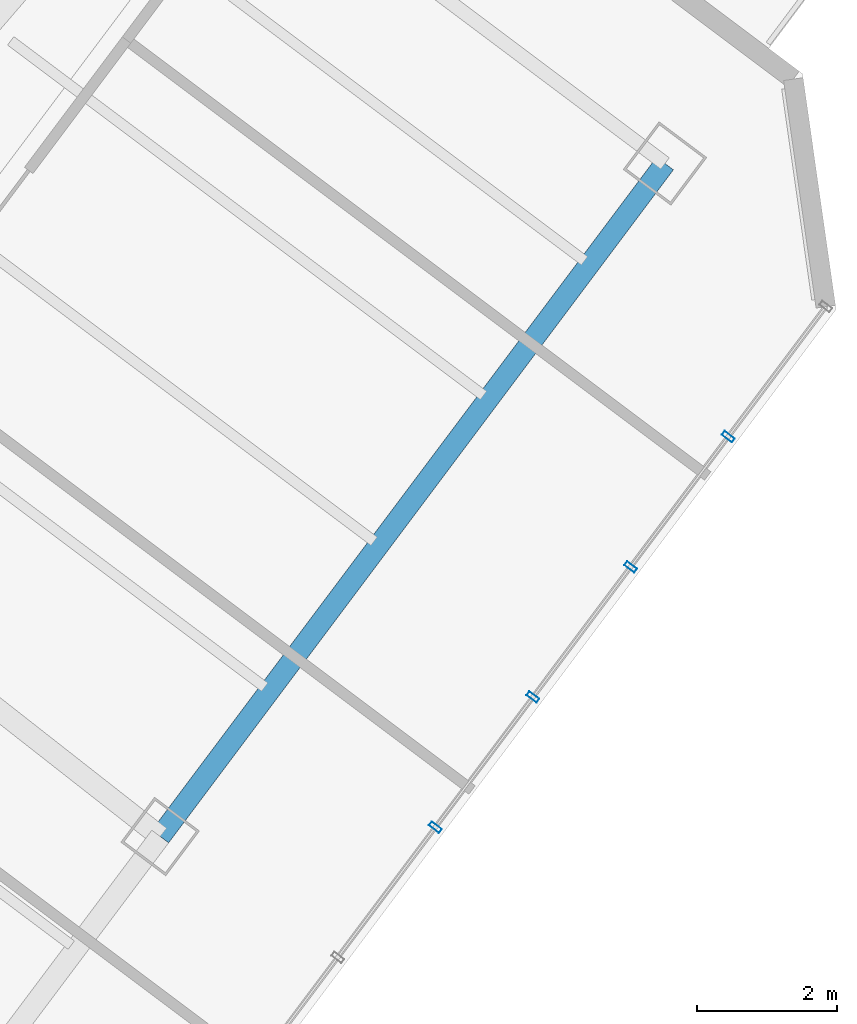
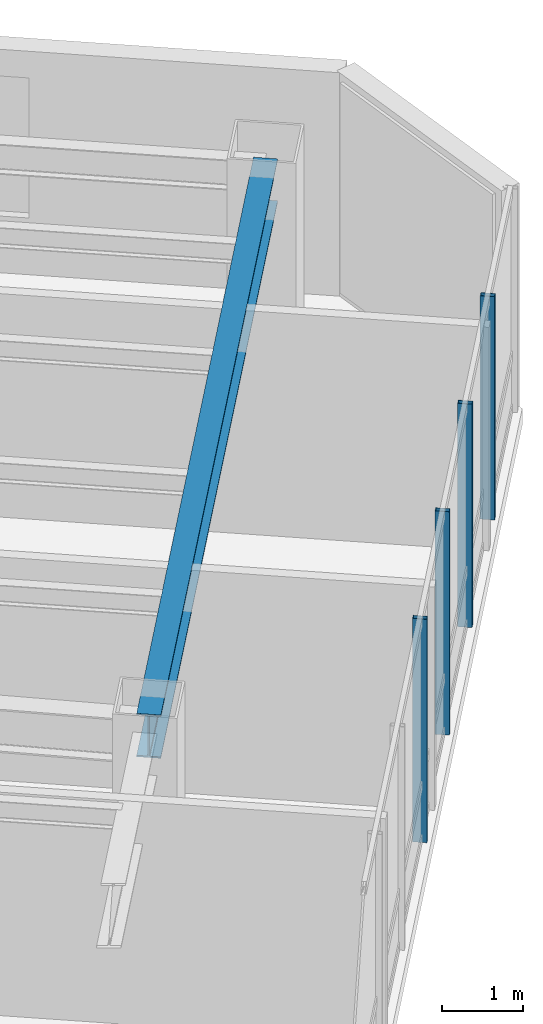
# One storey, part 13 of 27: 4 members, 1 beam, 1 element without a shape of its own.
"""IFC4 building model written with IfcOpenShell, lengths in metres."""

from ifc_helpers import new_model, si_unit, direction, frame, origin, origin_2d, place, context, subcontext, project, spatial, hollow_rectangle, i_section, extrude, material, layer, layer_set, material_profile, profile_set, type_object, element, aggregate, save


model = new_model("IFC4")

# Units and contexts
model_context = context("Model", 3, precision=1e-05, world=origin(), true_north=direction((0.0, 1.0)))
body_context = subcontext(model_context, "Body", "Model", "MODEL_VIEW")
ifc_project = project(units=[si_unit("LENGTHUNIT", "METRE"), si_unit("AREAUNIT", "SQUARE_METRE"), si_unit("VOLUMEUNIT", "CUBIC_METRE"), si_unit("PLANEANGLEUNIT", "RADIAN"), si_unit("MASSUNIT", "GRAM", prefix="KILO")], contexts=[model_context])

# Site, building, storey
site_placement = place(None, origin())
site = spatial("IfcSite", under=ifc_project, at=site_placement, CompositionType="ELEMENT")
building_placement = place(site_placement, origin())
building = spatial("IfcBuilding", under=site, at=building_placement, Name="Hatsunagi Terrace Concourse", CompositionType="ELEMENT")
storey_placement = place(building_placement, frame((0.0, 0.0, 145.64990234375)))
storey = spatial("IfcBuildingStorey", under=building, at=storey_placement, Name="L38", CompositionType="ELEMENT", Elevation=145.64990234375)

# Curtain wall, members
ifc_material_1 = material(Name="Anodised Aluminium Alloy 6063-T5", Category="aluminium")
ifc_layer = layer(ifc_material_1, 0.199951171875)
ifc_layer_set = layer_set([ifc_layer], Name="OfficeZone1_CW03")
curtain_wall_type = type_object("IfcCurtainWallType", Name="OfficeZone1_CW03", PredefinedType="NOTDEFINED", material=ifc_layer_set)
curtain_wall_placement = place(storey_placement, origin())
curtain_wall = element("IfcCurtainWall", 1, at=curtain_wall_placement, inside=storey, type_object=curtain_wall_type, Name="Unitised Curtain Wall CW-03 CW-L38-03", PredefinedType="NOTDEFINED")
ifc_material_2 = material(Name="Anodised Aluminium Alloy 6063-T5", Category="aluminium")
ifc_material_profile_1 = material_profile(ifc_material_2, hollow_rectangle(XDim=0.070068359375, YDim=0.179931640625, WallThickness=0.00390625, at=origin_2d()), Name="ALU-MUL-180x70x4")
ifc_profile_set_1 = profile_set([ifc_material_profile_1], Name="Anodised Aluminium Alloy 6063-T5")
member_type = type_object("IfcMemberType", Name="CurtainWallMullion_180x70", PredefinedType="MULLION", material=ifc_profile_set_1)
member_1_placement = place(storey_placement, frame((59.301025390625, 24.10205078125, 0.0), z_axis=(0.0, 0.0, 1.0), x_axis=(-0.599969314634, -0.800023013105, 0.0)))
member_1 = element("IfcMember", 2, at=member_1_placement, type_object=member_type, Name="Curtain Wall Mullion MUL-02", PredefinedType="MULLION", context=body_context, shape_type="SweptSolid", body=[
    extrude(hollow_rectangle(XDim=0.070068359375, YDim=0.179931640625, WallThickness=0.00390625, at=origin_2d()), origin(), (0.0, 0.0, 1.0), 3.35009765625),
])
member_2_placement = place(storey_placement, frame((57.908935546875, 22.2451171875, 0.0), z_axis=(0.0, 0.0, 1.0), x_axis=(-0.599969314634, -0.800023013105, 0.0)))
member_2 = element("IfcMember", 3, at=member_2_placement, type_object=member_type, Name="Curtain Wall Mullion MUL-02", PredefinedType="MULLION", context=body_context, shape_type="SweptSolid", body=[
    extrude(hollow_rectangle(XDim=0.070068359375, YDim=0.179931640625, WallThickness=0.00390625, at=origin_2d()), origin(), (0.0, 0.0, 1.0), 3.35009765625),
])
member_3_placement = place(storey_placement, frame((56.51611328125, 20.388916015625, 0.0), z_axis=(0.0, 0.0, 1.0), x_axis=(-0.599969314634, -0.800023013105, 0.0)))
member_3 = element("IfcMember", 4, at=member_3_placement, type_object=member_type, Name="Curtain Wall Mullion MUL-02", PredefinedType="MULLION", context=body_context, shape_type="SweptSolid", body=[
    extrude(hollow_rectangle(XDim=0.070068359375, YDim=0.179931640625, WallThickness=0.00390625, at=origin_2d()), origin(), (0.0, 0.0, 1.0), 3.35009765625),
])
member_4_placement = place(storey_placement, frame((55.1240234375, 18.531982421875, 0.0), z_axis=(0.0, 0.0, 1.0), x_axis=(-0.599969314634, -0.800023013105, 0.0)))
member_4 = element("IfcMember", 5, at=member_4_placement, type_object=member_type, Name="Curtain Wall Mullion MUL-02", PredefinedType="MULLION", context=body_context, shape_type="SweptSolid", body=[
    extrude(hollow_rectangle(XDim=0.070068359375, YDim=0.179931640625, WallThickness=0.00390625, at=origin_2d()), origin(), (0.0, 0.0, 1.0), 3.35009765625),
])
aggregate(curtain_wall, [member_1, member_2, member_3, member_4])

# Beam
ifc_material_3 = material(Name="Steel SN490B", Category="steel")
ifc_material_profile_2 = material_profile(ifc_material_3, i_section(OverallWidth=0.300048828125, OverallDepth=0.64990234375, WebThickness=0.012939453125, FlangeThickness=0.02197265625, FilletRadius=0.01806640625, at=origin_2d()), Name="H-650x300x13x22")
ifc_profile_set_2 = profile_set([ifc_material_profile_2], Name="Steel SN490B")
beam_type = type_object("IfcBeamType", Name="OfficeLowGirder_H_650x300", PredefinedType="BEAM", material=ifc_profile_set_2)
beam_placement = place(storey_placement, frame((51.199951171875, 18.39990234375, 3.025146484375), z_axis=(0.59999348959, 0.800004882766, 0.0), x_axis=(-0.800004882766, 0.59999348959, 0.0)))
element("IfcBeam", 6, at=beam_placement, inside=storey, type_object=beam_type, Name="Beam G-05 BM-L38-SET-2B", PredefinedType="BEAM", context=body_context, shape_type="SweptSolid", body=[
    extrude(i_section(OverallWidth=0.300048828125, OverallDepth=0.64990234375, WebThickness=0.012939453125, FlangeThickness=0.02197265625, FilletRadius=0.01806640625, at=origin_2d()), origin(), (0.0, 0.0, 1.0), 12.0),
])

save(model, "model.ifc")
